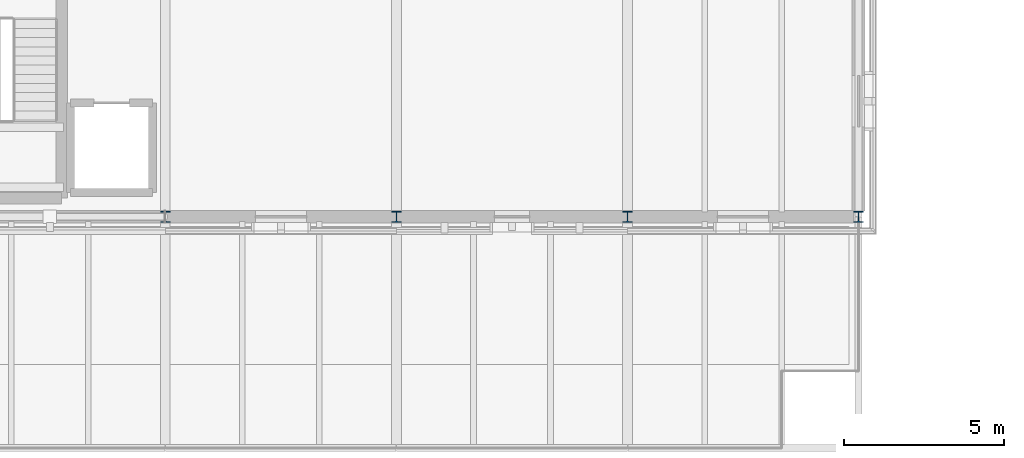
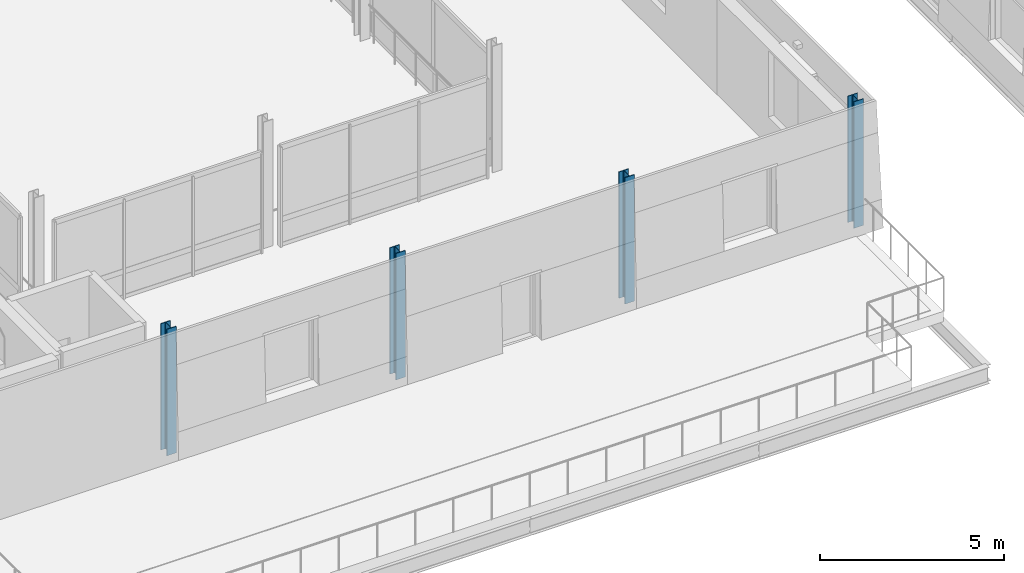
# One storey, part 2 of 91: 4 columns.
"""IFC4 building model written with IfcOpenShell, lengths in metres."""

from ifc_helpers import new_model, si_unit, direction, frame, origin, origin_2d, place, context, subcontext, project, spatial, i_section, extrude, material, material_profile, profile_set, type_object, element, save


model = new_model("IFC4")

# Units and contexts
model_context = context("Model", 3, precision=1e-05, world=origin(), true_north=direction((0.0, 1.0)))
body_context = subcontext(model_context, "Body", "Model", "MODEL_VIEW")
ifc_project = project(units=[si_unit("LENGTHUNIT", "METRE"), si_unit("AREAUNIT", "SQUARE_METRE"), si_unit("VOLUMEUNIT", "CUBIC_METRE"), si_unit("PLANEANGLEUNIT", "RADIAN"), si_unit("MASSUNIT", "GRAM", prefix="KILO")], contexts=[model_context])

# Site, building, storey
site_placement = place(None, origin())
site = spatial("IfcSite", under=ifc_project, at=site_placement, CompositionType="ELEMENT")
building_placement = place(site_placement, origin())
building = spatial("IfcBuilding", under=site, at=building_placement, Name="Narikvali Park Central Library", CompositionType="ELEMENT")
storey_placement = place(building_placement, frame((0.0, 0.0, 14.39990234375)))
storey = spatial("IfcBuildingStorey", under=building, at=storey_placement, Name="L03", CompositionType="ELEMENT", Elevation=14.39990234375)

# Columns
ifc_material = material(Name="Steel S355", Category="steel")
ifc_material_profile = material_profile(ifc_material, i_section(OverallWidth=0.300048828125, OverallDepth=0.340087890625, WebThickness=0.011962890625, FlangeThickness=0.021484375, FilletRadius=0.027099609375, at=origin_2d()), Name="HEB 340")
ifc_profile_set = profile_set([ifc_material_profile], Name="Steel S355")
column_type = type_object("IfcColumnType", Name="Steel Column HEB340", PredefinedType="COLUMN", material=ifc_profile_set)
for number, where, z_axis, x_axis, name in (
    (1, (36.0, 57.60009765625, 0.0), (0.0, 0.0, 1.0), (1.0, 0.0, 0.0), "V4 L03 Column (36.0,57.6)"),
    (2, (43.199951171875, 57.60009765625, 0.0), (0.0, 0.0, 1.0), (1.0, 0.0, 0.0), "V4 L03 Column (43.2,57.6)"),
    (3, (50.39990234375, 57.60009765625, 0.0), (0.0, 0.0, 1.0), (1.0, 0.0, 0.0), "V4 L03 Column (50.4,57.6)"),
    (4, (57.60009765625, 57.60009765625, 0.0), (0.0, 0.0, 1.0), (1.0, 0.0, 0.0), "V4 L03 Column (57.6,57.6)"),
):
    element("IfcColumn", number, at=place(storey_placement, frame(where, z_axis=z_axis, x_axis=x_axis)), inside=storey, type_object=column_type, Name=name, PredefinedType="COLUMN", context=body_context, shape_type="SweptSolid", body=[
        extrude(i_section(OverallWidth=0.300048828125, OverallDepth=0.340087890625, WebThickness=0.011962890625, FlangeThickness=0.021484375, FilletRadius=0.027099609375, at=origin_2d()), origin(), (0.0, 0.0, 1.0), 4.2001953125),
    ])

save(model, "model.ifc")
